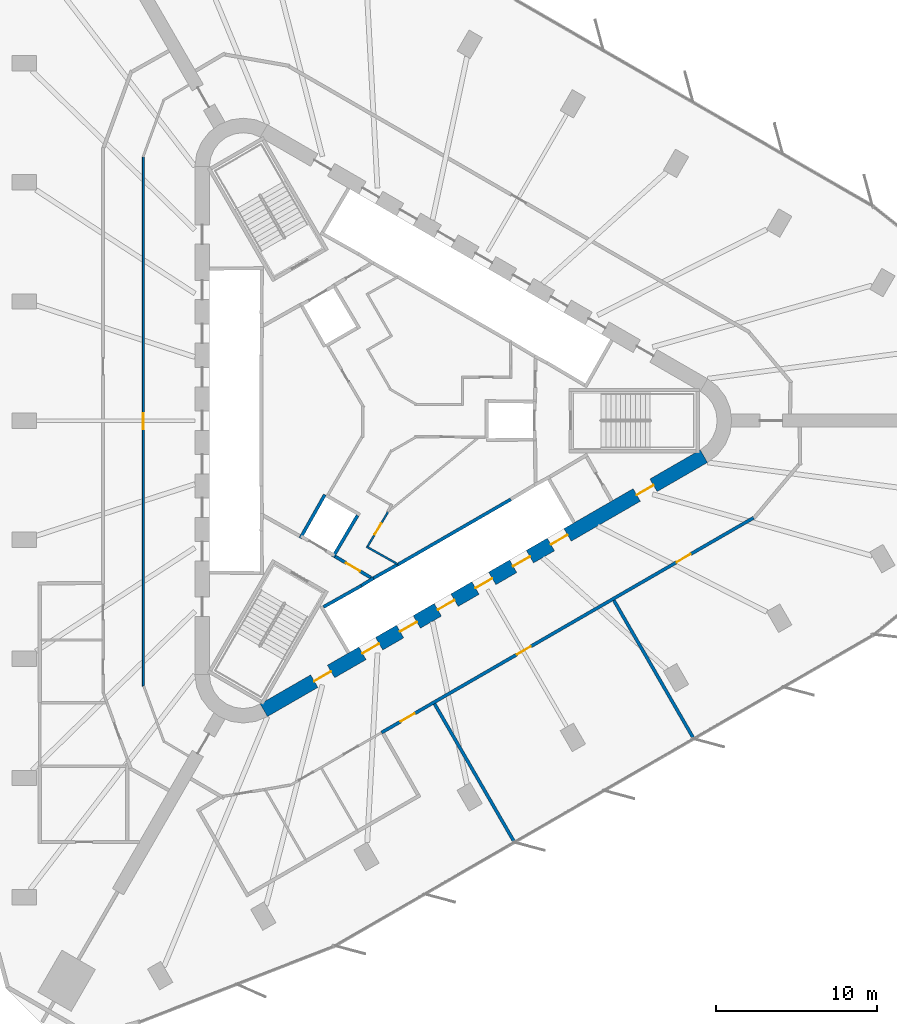
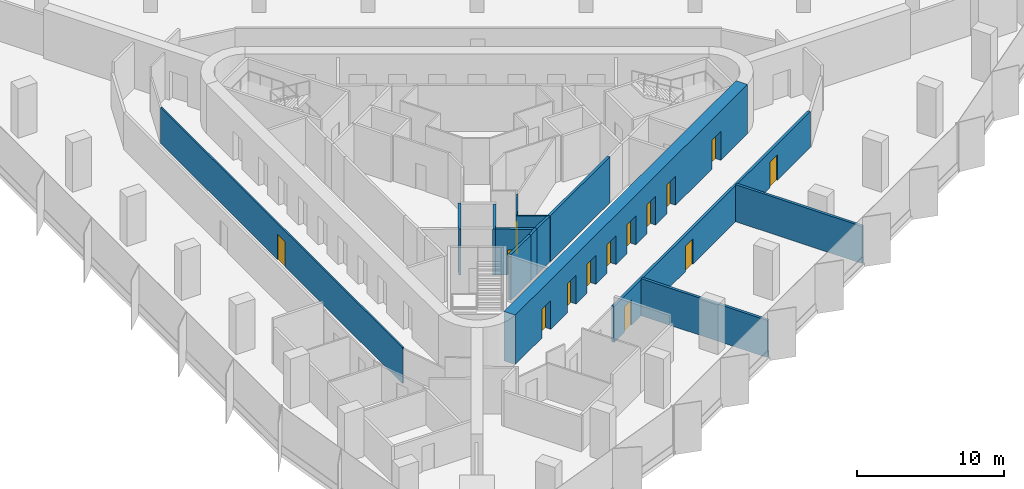
# One storey, part 10 of 15: 14 doors, 14 walls, 14 openings.
"""IFC4 building model written with IfcOpenShell, lengths in metres."""

import ifcopenshell
import ifcopenshell.guid

model = None  # the IFC model being written
_history = None  # IfcOwnerHistory: only IFC2X3 demands one
_inside = {}  # id of a spatial element -> (the spatial element, [elements in it])
_under = {}  # id of a project, library or spatial element -> (it, [spatial elements below it])
_declared = {}  # id of a project -> (the project, [libraries it declares])
_typed = {}  # id of a type object -> (the type object, [elements of that type])
_made_of = {}  # id of a material, layer set ... -> (it, [elements and type objects made of it])


def new_model(schema):
    """Start an empty IFC model of exactly this schema.

    Asked for "IFC4X3", IfcOpenShell would pick the latest addendum, in which some entities
    have other attributes; the version numbers below select the first issue.
    IFC2X3 requires an IfcOwnerHistory on every rooted entity: one is made here for all.
    """
    global model, _history
    if schema == "IFC4X3":
        model = ifcopenshell.file(schema_version=(4, 3, 0, 0))
    else:
        model = ifcopenshell.file(schema=schema)
    _inside.clear()
    _under.clear()
    _declared.clear()
    _typed.clear()
    _made_of.clear()
    _history = None
    if model.schema == "IFC2X3":
        org = make("IfcOrganization", Name="unknown")
        user = make(
            "IfcPersonAndOrganization",
            ThePerson=make("IfcPerson", FamilyName="unknown"),
            TheOrganization=org,
        )
        app = make(
            "IfcApplication",
            ApplicationDeveloper=org,
            Version="unknown",
            ApplicationFullName="unknown",
            ApplicationIdentifier="unknown",
        )
        _history = make(
            "IfcOwnerHistory",
            OwningUser=user,
            OwningApplication=app,
            ChangeAction="ADDED",
            CreationDate=0,
        )
    return model


def make(cls, **values):
    """One entity of the class cls with the attributes given. An attribute that is None is left unset."""
    return model.create_entity(
        cls, **{name: value for name, value in values.items() if value is not None}
    )


def rooted(cls, **values):
    """An entity with a GlobalId (a new one), such as an element, a storey or a relation."""
    return make(cls, GlobalId=ifcopenshell.guid.new(), OwnerHistory=_history, **values)


def si_unit(unit_type, name, prefix=None):
    """IfcSIUnit, for example si_unit("LENGTHUNIT", "METRE", prefix="MILLI")."""
    return make("IfcSIUnit", UnitType=unit_type, Prefix=prefix, Name=name)


def assignment(units):
    """IfcUnitAssignment: the units of a project."""
    return None if units is None else make("IfcUnitAssignment", Units=units)


def point(xyz):
    """IfcCartesianPoint."""
    return None if xyz is None else make("IfcCartesianPoint", Coordinates=xyz)


def direction(xyz):
    """IfcDirection."""
    return None if xyz is None else make("IfcDirection", DirectionRatios=xyz)


def frame(location, z_axis=None, x_axis=None):
    """IfcAxis2Placement3D, a coordinate frame: its origin and axes. An axis left out is left unset."""
    return make(
        "IfcAxis2Placement3D",
        Location=point(location),
        Axis=direction(z_axis),
        RefDirection=direction(x_axis),
    )


def frame_2d(location, x_axis=None):
    """IfcAxis2Placement2D, a coordinate frame in the plane: its origin and x axis."""
    return make(
        "IfcAxis2Placement2D", Location=point(location), RefDirection=direction(x_axis)
    )


def origin():
    """The frame at (0, 0, 0) with its axes left unset."""
    return frame((0.0, 0.0, 0.0))


def place(relative_to, where):
    """IfcLocalPlacement: puts the frame where relative to a parent placement (None: the world)."""
    return make(
        "IfcLocalPlacement", PlacementRelTo=relative_to, RelativePlacement=where
    )


def context(
    kind, dimensions, precision=None, world=None, true_north=None, identifier=None
):
    """IfcGeometricRepresentationContext, for example the 3D "Model" context."""
    return make(
        "IfcGeometricRepresentationContext",
        ContextIdentifier=identifier,
        ContextType=kind,
        CoordinateSpaceDimension=dimensions,
        Precision=precision,
        WorldCoordinateSystem=world,
        TrueNorth=true_north,
    )


def subcontext(parent, identifier, kind, view, scale=None):
    """IfcGeometricRepresentationSubContext, for example "Body" below "Model"."""
    return make(
        "IfcGeometricRepresentationSubContext",
        ContextIdentifier=identifier,
        ContextType=kind,
        ParentContext=parent,
        TargetScale=scale,
        TargetView=view,
    )


def project(units=None, contexts=None):
    """IfcProject with its units and contexts."""
    return rooted(
        "IfcProject",
        Name="project",
        RepresentationContexts=contexts,
        UnitsInContext=assignment(units),
    )


def spatial(cls, under=None, at=None, **own):
    """A site, building, storey or space (cls), placed at a placement, below another one or the project."""
    s = rooted(cls, ObjectPlacement=at, **own)
    if under is not None:
        _under.setdefault(under.id(), (under, []))[1].append(s)
    return s


def profile(cls, at=None, kind="AREA", **sizes):
    """A parametric profile (cls). Its sizes go by their IFC names, for example OverallWidth=200.0."""
    return make(cls, ProfileType=kind, Position=at, **sizes)


def rectangle(**sizes):
    """IfcRectangleProfileDef."""
    return profile("IfcRectangleProfileDef", **sizes)


def extrude(swept, where, along, depth):
    """IfcExtrudedAreaSolid: the profile swept, set in the frame where, extruded along a direction by depth."""
    return make(
        "IfcExtrudedAreaSolid",
        SweptArea=swept,
        Position=where,
        ExtrudedDirection=direction(along),
        Depth=depth,
    )


def shape(context_of_items, identifier, shape_type, items):
    """IfcShapeRepresentation: the items that make up one representation, for example the "Body"."""
    return make(
        "IfcShapeRepresentation",
        ContextOfItems=context_of_items,
        RepresentationIdentifier=identifier,
        RepresentationType=shape_type,
        Items=items,
    )


def material(Name=None, Category=None):
    """IfcMaterial."""
    return make("IfcMaterial", Name=Name, Category=Category)


def layer(
    of_material, thickness, ventilated=None, Name=None, Category=None, Priority=None
):
    """IfcMaterialLayer: one layer of a wall or slab, of a material (None: an air gap)."""
    return make(
        "IfcMaterialLayer",
        Material=of_material,
        LayerThickness=thickness,
        IsVentilated=ventilated,
        Name=Name,
        Category=Category,
        Priority=Priority,
    )


def layer_set(layers, Name=None):
    """IfcMaterialLayerSet."""
    return make("IfcMaterialLayerSet", MaterialLayers=layers, LayerSetName=Name)


def made_of(thing, what):
    """Note that an element or type object is made of a material, layer set ...; save() writes the relation."""
    if what is not None:
        _made_of.setdefault(what.id(), (what, []))[1].append(thing)
    return thing


def type_object(cls, material=None, **own):
    """A type object (cls), such as IfcWallType, which elements share."""
    return made_of(rooted(cls, **own), material)


def element(
    cls,
    number,
    at=None,
    inside=None,
    cuts=None,
    type_object=None,
    material=None,
    context=None,
    identifier="Body",
    shape_type=None,
    held_by="IfcProductDefinitionShape",
    body=None,
    shapes=None,
    **own,
):
    """One element of the class cls, such as IfcWall. Its Tag is "e" and its number.

    at: its placement. inside: the storey or other place that contains it. cuts: it is an
    opening in that element (IfcRelVoidsElement). A single representation is given by context,
    identifier, shape_type and body (its items); several are given by shapes. held_by: the class
    of the entity that holds the representations. save() writes the other relations.
    """
    e = rooted(cls, Tag="e%d" % number, ObjectPlacement=at, **own)
    if body is not None:
        shapes = [shape(context, identifier, shape_type, body)]
    if shapes is not None:
        e.Representation = make(held_by, Representations=shapes)
    if inside is not None:
        _inside.setdefault(inside.id(), (inside, []))[1].append(e)
    if cuts is not None:
        rooted(
            "IfcRelVoidsElement", RelatingBuildingElement=cuts, RelatedOpeningElement=e
        )
    if type_object is not None:
        _typed.setdefault(type_object.id(), (type_object, []))[1].append(e)
    return made_of(e, material)


def fill(opening, filler):
    """IfcRelFillsElement: the door or window that sits in an opening."""
    return rooted(
        "IfcRelFillsElement",
        RelatingOpeningElement=opening,
        RelatedBuildingElement=filler,
    )


def aggregate(whole, parts):
    """IfcRelAggregates: a whole, such as a stair, and the parts it consists of."""
    return rooted("IfcRelAggregates", RelatingObject=whole, RelatedObjects=parts)


def save(model, path):
    """Write the relations noted so far, then the file.

    IfcRelAggregates (storeys below a building ...), IfcRelContainedInSpatialStructure (elements
    in a storey), IfcRelDefinesByType, IfcRelAssociatesMaterial and IfcRelDeclares: one each for
    every whole, place, type object, material and project.
    """
    for whole, parts in _under.values():
        aggregate(whole, parts)
    for where, things in _inside.values():
        rooted(
            "IfcRelContainedInSpatialStructure",
            RelatedElements=things,
            RelatingStructure=where,
        )
    for kind, things in _typed.values():
        rooted("IfcRelDefinesByType", RelatedObjects=things, RelatingType=kind)
    for what, things in _made_of.values():
        rooted("IfcRelAssociatesMaterial", RelatedObjects=things, RelatingMaterial=what)
    for by, libraries in _declared.values():
        rooted("IfcRelDeclares", RelatingContext=by, RelatedDefinitions=libraries)
    model.write(path)


model = new_model("IFC4")

# Units and contexts
model_context = context("Model", 3, precision=1e-05, world=origin(), true_north=direction((0.0, 1.0)))
body_context = subcontext(model_context, "Body", "Model", "MODEL_VIEW")
ifc_project = project(units=[si_unit("LENGTHUNIT", "METRE"), si_unit("AREAUNIT", "SQUARE_METRE"), si_unit("VOLUMEUNIT", "CUBIC_METRE"), si_unit("PLANEANGLEUNIT", "RADIAN"), si_unit("MASSUNIT", "GRAM", prefix="KILO")], contexts=[model_context])

# Site, building, storey
site_placement = place(None, origin())
site = spatial("IfcSite", under=ifc_project, at=site_placement, CompositionType="ELEMENT")
building_placement = place(site_placement, origin())
building = spatial("IfcBuilding", under=site, at=building_placement, Name="Tanit Gate Tower", CompositionType="ELEMENT")
storey_placement = place(building_placement, frame((0.0, 0.0, 135.699951171875)))
storey = spatial("IfcBuildingStorey", under=building, at=storey_placement, Name="L29", CompositionType="ELEMENT", Elevation=135.699951171875)

# Wall, openings, doors
ifc_material_1 = material(Name="Concrete C60/75", Category="concrete")
ifc_layer_1 = layer(ifc_material_1, 0.89990234375)
ifc_layer_set_1 = layer_set([ifc_layer_1], Name="CORE WALL 900 C60/75")
wall_type_1 = type_object("IfcWallType", Name="CORE WALL 900 C60/75", PredefinedType="SHEAR", material=ifc_layer_set_1)
wall_1_placement = place(storey_placement, frame((-7.824951171875, -17.969970703125, 0.0), z_axis=(0.0, 0.0, 1.0), x_axis=(0.866028369851, 0.499994862586, 0.0)))
wall_1 = element("IfcWall", 1, at=wall_1_placement, inside=storey, type_object=wall_type_1, Name="CORE WALL", PredefinedType="SHEAR", context=body_context, shape_type="SweptSolid", body=[
    extrude(rectangle(XDim=31.523193359375, YDim=0.89990234375, at=frame_2d((15.76171875, 0.0))), origin(), (0.0, 0.0, 1.0), 4.10009765625),
])
opening_1_placement = place(wall_1_placement, frame((7.061767578125, 0.0, 0.0)))
opening_1 = element("IfcOpeningElement", 2, at=opening_1_placement, cuts=wall_1, Name="Opening LDSX1-S07", PredefinedType="OPENING", context=body_context, shape_type="SweptSolid", body=[
    extrude(rectangle(XDim=1.199951171875, YDim=2.39990234375, at=frame_2d((0.60009765625, 1.199951171875))), frame((0.0, 0.4599609375, 0.0), z_axis=(0.0, -1.0, 0.0), x_axis=(1.0, 0.0, 0.0)), (0.0, 0.0, 1.0), 0.919921875),
])
opening_2_placement = place(wall_1_placement, frame((9.76171875, 0.0, 0.0)))
opening_2 = element("IfcOpeningElement", 3, at=opening_2_placement, cuts=wall_1, Name="Opening LDSX2-S07", PredefinedType="OPENING", context=body_context, shape_type="SweptSolid", body=[
    extrude(rectangle(XDim=1.199951171875, YDim=2.39990234375, at=frame_2d((0.60009765625, 1.199951171875))), frame((0.0, 0.4599609375, 0.0), z_axis=(0.0, -1.0, 0.0), x_axis=(1.0, 0.0, 0.0)), (0.0, 0.0, 1.0), 0.919921875),
])
opening_3_placement = place(wall_1_placement, frame((12.461669921875, 0.0, 0.0)))
opening_3 = element("IfcOpeningElement", 4, at=opening_3_placement, cuts=wall_1, Name="Opening LDSX3-S07", PredefinedType="OPENING", context=body_context, shape_type="SweptSolid", body=[
    extrude(rectangle(XDim=1.199951171875, YDim=2.39990234375, at=frame_2d((0.60009765625, 1.199951171875))), frame((0.0, 0.4599609375, 0.0), z_axis=(0.0, -1.0, 0.0), x_axis=(1.0, 0.0, 0.0)), (0.0, 0.0, 1.0), 0.919921875),
])
opening_4_placement = place(wall_1_placement, frame((15.16162109375, 0.0, 0.0)))
opening_4 = element("IfcOpeningElement", 5, at=opening_4_placement, cuts=wall_1, Name="Opening LDSX4-S07", PredefinedType="OPENING", context=body_context, shape_type="SweptSolid", body=[
    extrude(rectangle(XDim=1.199951171875, YDim=2.39990234375, at=frame_2d((0.60009765625, 1.199951171875))), frame((0.0, 0.4599609375, 0.0), z_axis=(0.0, -1.0, 0.0), x_axis=(1.0, 0.0, 0.0)), (0.0, 0.0, 1.0), 0.919921875),
])
opening_5_placement = place(wall_1_placement, frame((17.861572265625, 0.0, 0.0)))
opening_5 = element("IfcOpeningElement", 6, at=opening_5_placement, cuts=wall_1, Name="Opening LDSV1-S07", PredefinedType="OPENING", context=body_context, shape_type="SweptSolid", body=[
    extrude(rectangle(XDim=1.199951171875, YDim=2.39990234375, at=frame_2d((0.60009765625, 1.199951171875))), frame((0.0, 0.4599609375, 0.0), z_axis=(0.0, -1.0, 0.0), x_axis=(1.0, 0.0, 0.0)), (0.0, 0.0, 1.0), 0.919921875),
])
opening_6_placement = place(wall_1_placement, frame((20.561767578125, 0.0, 0.0)))
opening_6 = element("IfcOpeningElement", 7, at=opening_6_placement, cuts=wall_1, Name="Opening LDSV2-S07", PredefinedType="OPENING", context=body_context, shape_type="SweptSolid", body=[
    extrude(rectangle(XDim=1.199951171875, YDim=2.39990234375, at=frame_2d((0.60009765625, 1.199951171875))), frame((0.0, 0.4599609375, 0.0), z_axis=(0.0, -1.0, 0.0), x_axis=(1.0, 0.0, 0.0)), (0.0, 0.0, 1.0), 0.919921875),
])
opening_7_placement = place(wall_1_placement, frame((26.711669921875, 0.0, 0.0)))
opening_7 = element("IfcOpeningElement", 8, at=opening_7_placement, cuts=wall_1, Name="Opening F12-S07-S1", PredefinedType="OPENING", context=body_context, shape_type="SweptSolid", body=[
    extrude(rectangle(XDim=1.199951171875, YDim=2.39990234375, at=frame_2d((0.60009765625, 1.199951171875))), frame((0.0, 0.4599609375, 0.0), z_axis=(0.0, -1.0, 0.0), x_axis=(1.0, 0.0, 0.0)), (0.0, 0.0, 1.0), 0.919921875),
])
opening_8_placement = place(wall_1_placement, frame((3.611572265625, 0.0, 0.0)))
opening_8 = element("IfcOpeningElement", 9, at=opening_8_placement, cuts=wall_1, Name="Opening F12-S07-FL3", PredefinedType="OPENING", context=body_context, shape_type="SweptSolid", body=[
    extrude(rectangle(XDim=1.199951171875, YDim=2.39990234375, at=frame_2d((0.60009765625, 1.199951171875))), frame((0.0, 0.4599609375, 0.0), z_axis=(0.0, -1.0, 0.0), x_axis=(1.0, 0.0, 0.0)), (0.0, 0.0, 1.0), 0.919921875),
])
ifc_material_2 = material(Name="Fire-rated steel door leaf", Category="steel")
door_type_1 = type_object("IfcDoorType", Name="INT-DOOR-FIRE-LOBBY-1200", OperationType="NOTDEFINED", PredefinedType="USERDEFINED", material=ifc_material_2)
door_1_placement = place(opening_7_placement, origin())
door_1 = element("IfcDoor", 10, at=door_1_placement, inside=storey, type_object=door_type_1, Name="Door F12-S07-S1", ObjectType="FIRE DOOR", OperationType="SINGLE_SWING_LEFT", OverallHeight=2.39990234375, OverallWidth=1.199951171875, PredefinedType="USERDEFINED", context=body_context, shape_type="SweptSolid", body=[
    extrude(rectangle(XDim=1.199951171875, YDim=2.39990234375, at=frame_2d((0.60009765625, 1.199951171875))), frame((0.0, 0.02490234375, 0.0), z_axis=(0.0, -1.0, 0.0), x_axis=(1.0, 0.0, 0.0)), (0.0, 0.0, 1.0), 0.050048828125),
])
fill(opening_7, door_1)
door_2_placement = place(opening_8_placement, origin())
door_2 = element("IfcDoor", 11, at=door_2_placement, inside=storey, type_object=door_type_1, Name="Door F12-S07-FL3", ObjectType="FIRE DOOR", OperationType="SINGLE_SWING_RIGHT", OverallHeight=2.39990234375, OverallWidth=1.199951171875, PredefinedType="USERDEFINED", context=body_context, shape_type="SweptSolid", body=[
    extrude(rectangle(XDim=1.199951171875, YDim=2.39990234375, at=frame_2d((0.60009765625, 1.199951171875))), frame((0.0, 0.02490234375, 0.0), z_axis=(0.0, -1.0, 0.0), x_axis=(1.0, 0.0, 0.0)), (0.0, 0.0, 1.0), 0.050048828125),
])
fill(opening_8, door_2)
ifc_material_3 = material(Name="Stainless steel sliding door leaf", Category="steel")
door_type_2 = type_object("IfcDoorType", Name="INT-DOOR-LANDING-1200", OperationType="NOTDEFINED", PredefinedType="USERDEFINED", material=ifc_material_3)
door_3_placement = place(opening_1_placement, origin())
door_3 = element("IfcDoor", 12, at=door_3_placement, inside=storey, type_object=door_type_2, Name="Door LDSX1-S07", ObjectType="LANDING DOOR", OperationType="SLIDING_TO_LEFT", OverallHeight=2.39990234375, OverallWidth=1.199951171875, PredefinedType="USERDEFINED", context=body_context, shape_type="SweptSolid", body=[
    extrude(rectangle(XDim=1.199951171875, YDim=2.39990234375, at=frame_2d((0.60009765625, 1.199951171875))), frame((0.0, 0.02490234375, 0.0), z_axis=(0.0, -1.0, 0.0), x_axis=(1.0, 0.0, 0.0)), (0.0, 0.0, 1.0), 0.050048828125),
])
fill(opening_1, door_3)
door_4_placement = place(opening_2_placement, origin())
door_4 = element("IfcDoor", 13, at=door_4_placement, inside=storey, type_object=door_type_2, Name="Door LDSX2-S07", ObjectType="LANDING DOOR", OperationType="SLIDING_TO_LEFT", OverallHeight=2.39990234375, OverallWidth=1.199951171875, PredefinedType="USERDEFINED", context=body_context, shape_type="SweptSolid", body=[
    extrude(rectangle(XDim=1.199951171875, YDim=2.39990234375, at=frame_2d((0.60009765625, 1.199951171875))), frame((0.0, 0.02490234375, 0.0), z_axis=(0.0, -1.0, 0.0), x_axis=(1.0, 0.0, 0.0)), (0.0, 0.0, 1.0), 0.050048828125),
])
fill(opening_2, door_4)
door_5_placement = place(opening_3_placement, origin())
door_5 = element("IfcDoor", 14, at=door_5_placement, inside=storey, type_object=door_type_2, Name="Door LDSX3-S07", ObjectType="LANDING DOOR", OperationType="SLIDING_TO_LEFT", OverallHeight=2.39990234375, OverallWidth=1.199951171875, PredefinedType="USERDEFINED", context=body_context, shape_type="SweptSolid", body=[
    extrude(rectangle(XDim=1.199951171875, YDim=2.39990234375, at=frame_2d((0.60009765625, 1.199951171875))), frame((0.0, 0.02490234375, 0.0), z_axis=(0.0, -1.0, 0.0), x_axis=(1.0, 0.0, 0.0)), (0.0, 0.0, 1.0), 0.050048828125),
])
fill(opening_3, door_5)
door_6_placement = place(opening_4_placement, origin())
door_6 = element("IfcDoor", 15, at=door_6_placement, inside=storey, type_object=door_type_2, Name="Door LDSX4-S07", ObjectType="LANDING DOOR", OperationType="SLIDING_TO_LEFT", OverallHeight=2.39990234375, OverallWidth=1.199951171875, PredefinedType="USERDEFINED", context=body_context, shape_type="SweptSolid", body=[
    extrude(rectangle(XDim=1.199951171875, YDim=2.39990234375, at=frame_2d((0.60009765625, 1.199951171875))), frame((0.0, 0.02490234375, 0.0), z_axis=(0.0, -1.0, 0.0), x_axis=(1.0, 0.0, 0.0)), (0.0, 0.0, 1.0), 0.050048828125),
])
fill(opening_4, door_6)
door_7_placement = place(opening_5_placement, origin())
door_7 = element("IfcDoor", 16, at=door_7_placement, inside=storey, type_object=door_type_2, Name="Door LDSV1-S07", ObjectType="LANDING DOOR", OperationType="SLIDING_TO_LEFT", OverallHeight=2.39990234375, OverallWidth=1.199951171875, PredefinedType="USERDEFINED", context=body_context, shape_type="SweptSolid", body=[
    extrude(rectangle(XDim=1.199951171875, YDim=2.39990234375, at=frame_2d((0.60009765625, 1.199951171875))), frame((0.0, 0.02490234375, 0.0), z_axis=(0.0, -1.0, 0.0), x_axis=(1.0, 0.0, 0.0)), (0.0, 0.0, 1.0), 0.050048828125),
])
fill(opening_5, door_7)
door_8_placement = place(opening_6_placement, origin())
door_8 = element("IfcDoor", 17, at=door_8_placement, inside=storey, type_object=door_type_2, Name="Door LDSV2-S07", ObjectType="LANDING DOOR", OperationType="SLIDING_TO_LEFT", OverallHeight=2.39990234375, OverallWidth=1.199951171875, PredefinedType="USERDEFINED", context=body_context, shape_type="SweptSolid", body=[
    extrude(rectangle(XDim=1.199951171875, YDim=2.39990234375, at=frame_2d((0.60009765625, 1.199951171875))), frame((0.0, 0.02490234375, 0.0), z_axis=(0.0, -1.0, 0.0), x_axis=(1.0, 0.0, 0.0)), (0.0, 0.0, 1.0), 0.050048828125),
])
fill(opening_6, door_8)

# Wall, opening, door
ifc_material_4 = material(Name="Fire-rated gypsum board partition")
ifc_layer_2 = layer(ifc_material_4, 0.199951171875)
ifc_layer_set_2 = layer_set([ifc_layer_2], Name="INT-WALL-COMPARTMENT")
wall_type_2 = type_object("IfcWallType", Name="INT-WALL-COMPARTMENT", PredefinedType="PARTITIONING", material=ifc_layer_set_2)
wall_2_placement = place(storey_placement, frame((-3.400634765625, -8.43017578125, 0.0), z_axis=(0.0, 0.0, 1.0), x_axis=(0.860598681535, -0.509283721849, 0.0)))
wall_2 = element("IfcWall", 18, at=wall_2_placement, inside=storey, type_object=wall_type_2, Name="Wall Compartment W064", PredefinedType="PARTITIONING", context=body_context, shape_type="SweptSolid", body=[
    extrude(rectangle(XDim=2.5810546875, YDim=0.199951171875, at=frame_2d((1.29052734375, 0.0))), origin(), (0.0, 0.0, 1.0), 3.800048828125),
])
opening_9_placement = place(wall_2_placement, frame((0.79052734375, 0.0, 0.0)))
opening_9 = element("IfcOpeningElement", 19, at=opening_9_placement, cuts=wall_2, Name="Opening F10-S07-08", PredefinedType="OPENING", context=body_context, shape_type="SweptSolid", body=[
    extrude(rectangle(XDim=1.0, YDim=2.10009765625, at=frame_2d((0.5, 1.050048828125))), frame((0.0, 0.10986328125, 0.0), z_axis=(0.0, -1.0, 0.0), x_axis=(1.0, 0.0, 0.0)), (0.0, 0.0, 1.0), 0.219970703125),
])
ifc_material_5 = material(Name="Fire-rated steel door leaf", Category="steel")
door_type_3 = type_object("IfcDoorType", Name="INT-DOOR-FIRE-1000", OperationType="NOTDEFINED", PredefinedType="USERDEFINED", material=ifc_material_5)
door_9_placement = place(opening_9_placement, origin())
door_9 = element("IfcDoor", 20, at=door_9_placement, inside=storey, type_object=door_type_3, Name="Door F10-S07-08", ObjectType="FIRE DOOR", OperationType="SINGLE_SWING_RIGHT", OverallHeight=2.10009765625, OverallWidth=1.0, PredefinedType="USERDEFINED", context=body_context, shape_type="SweptSolid", body=[
    extrude(rectangle(XDim=1.0, YDim=2.10009765625, at=frame_2d((0.5, 1.050048828125))), frame((0.0, 0.02490234375, 0.0), z_axis=(0.0, -1.0, 0.0), x_axis=(1.0, 0.0, 0.0)), (0.0, 0.0, 1.0), 0.050048828125),
])
fill(opening_9, door_9)

# Wall, openings, doors
wall_3_placement = place(storey_placement, frame((-0.52294921875, -19.3544921875, 0.0), z_axis=(0.0, 0.0, 1.0), x_axis=(0.866024925705, 0.500000828058, 0.0)))
wall_3 = element("IfcWall", 21, at=wall_3_placement, inside=storey, type_object=wall_type_2, Name="Wall Compartment W110", PredefinedType="PARTITIONING", context=body_context, shape_type="SweptSolid", body=[
    extrude(rectangle(XDim=26.64697265625, YDim=0.199951171875, at=frame_2d((13.323486328125, 0.0))), origin(), (0.0, 0.0, 1.0), 2.97998046875),
])
opening_10_placement = place(wall_3_placement, frame((21.144775390625, 0.0, 0.0)))
opening_10 = element("IfcOpeningElement", 22, at=opening_10_placement, cuts=wall_3, Name="Opening F10-S07-25", PredefinedType="OPENING", context=body_context, shape_type="SweptSolid", body=[
    extrude(rectangle(XDim=1.0, YDim=2.10009765625, at=frame_2d((0.5, 1.050048828125))), frame((0.0, 0.10986328125, 0.0), z_axis=(0.0, -1.0, 0.0), x_axis=(1.0, 0.0, 0.0)), (0.0, 0.0, 1.0), 0.219970703125),
])
opening_11_placement = place(wall_3_placement, frame((9.690673828125, 0.0, 0.0)))
opening_11 = element("IfcOpeningElement", 23, at=opening_11_placement, cuts=wall_3, Name="Opening F10-S07-26", PredefinedType="OPENING", context=body_context, shape_type="SweptSolid", body=[
    extrude(rectangle(XDim=1.0, YDim=2.10009765625, at=frame_2d((0.5, 1.050048828125))), frame((0.0, 0.10986328125, 0.0), z_axis=(0.0, -1.0, 0.0), x_axis=(1.0, 0.0, 0.0)), (0.0, 0.0, 1.0), 0.219970703125),
])
opening_12_placement = place(wall_3_placement, frame((1.369384765625, 0.0, 0.0)))
opening_12 = element("IfcOpeningElement", 24, at=opening_12_placement, cuts=wall_3, Name="Opening F10-S07-27", PredefinedType="OPENING", context=body_context, shape_type="SweptSolid", body=[
    extrude(rectangle(XDim=1.0, YDim=2.10009765625, at=frame_2d((0.5, 1.050048828125))), frame((0.0, 0.10986328125, 0.0), z_axis=(0.0, -1.0, 0.0), x_axis=(1.0, 0.0, 0.0)), (0.0, 0.0, 1.0), 0.219970703125),
])
door_10_placement = place(opening_10_placement, origin())
door_10 = element("IfcDoor", 25, at=door_10_placement, inside=storey, type_object=door_type_3, Name="Door F10-S07-25", ObjectType="FIRE DOOR", OperationType="SINGLE_SWING_RIGHT", OverallHeight=2.10009765625, OverallWidth=1.0, PredefinedType="USERDEFINED", context=body_context, shape_type="SweptSolid", body=[
    extrude(rectangle(XDim=1.0, YDim=2.10009765625, at=frame_2d((0.5, 1.050048828125))), frame((0.0, 0.02490234375, 0.0), z_axis=(0.0, -1.0, 0.0), x_axis=(1.0, 0.0, 0.0)), (0.0, 0.0, 1.0), 0.050048828125),
])
fill(opening_10, door_10)
door_11_placement = place(opening_11_placement, origin())
door_11 = element("IfcDoor", 26, at=door_11_placement, inside=storey, type_object=door_type_3, Name="Door F10-S07-26", ObjectType="FIRE DOOR", OperationType="SINGLE_SWING_RIGHT", OverallHeight=2.10009765625, OverallWidth=1.0, PredefinedType="USERDEFINED", context=body_context, shape_type="SweptSolid", body=[
    extrude(rectangle(XDim=1.0, YDim=2.10009765625, at=frame_2d((0.5, 1.050048828125))), frame((0.0, 0.02490234375, 0.0), z_axis=(0.0, -1.0, 0.0), x_axis=(1.0, 0.0, 0.0)), (0.0, 0.0, 1.0), 0.050048828125),
])
fill(opening_11, door_11)
door_12_placement = place(opening_12_placement, origin())
door_12 = element("IfcDoor", 27, at=door_12_placement, inside=storey, type_object=door_type_3, Name="Door F10-S07-27", ObjectType="FIRE DOOR", OperationType="SINGLE_SWING_LEFT", OverallHeight=2.10009765625, OverallWidth=1.0, PredefinedType="USERDEFINED", context=body_context, shape_type="SweptSolid", body=[
    extrude(rectangle(XDim=1.0, YDim=2.10009765625, at=frame_2d((0.5, 1.050048828125))), frame((0.0, 0.02490234375, 0.0), z_axis=(0.0, -1.0, 0.0), x_axis=(1.0, 0.0, 0.0)), (0.0, 0.0, 1.0), 0.050048828125),
])
fill(opening_12, door_12)

# Walls
wall_4_placement = place(storey_placement, frame((13.888427734375, -11.149658203125, 0.0), z_axis=(0.0, 0.0, 1.0), x_axis=(0.499931641511, -0.86606486698, 0.0)))
element("IfcWall", 28, at=wall_4_placement, inside=storey, type_object=wall_type_2, Name="Wall Compartment W129", PredefinedType="PARTITIONING", context=body_context, shape_type="SweptSolid", body=[
    extrude(rectangle(XDim=9.90087890625, YDim=0.199951171875, at=frame_2d((4.950439453125, 0.0))), origin(), (0.0, 0.0, 1.0), 3.080078125),
])
wall_5_placement = place(storey_placement, frame((7.714111328125, -26.145751953125, 0.0), z_axis=(0.0, 0.0, 1.0), x_axis=(-0.499926679301, 0.866067731372, 0.0)))
element("IfcWall", 29, at=wall_5_placement, inside=storey, type_object=wall_type_2, Name="Wall Compartment W130", PredefinedType="PARTITIONING", context=body_context, shape_type="SweptSolid", body=[
    extrude(rectangle(XDim=9.89990234375, YDim=0.199951171875, at=frame_2d((4.949951171875, 0.0))), origin(), (0.0, 0.0, 1.0), 3.080078125),
])
ifc_material_6 = material(Name="Gypsum board partition")
ifc_layer_3 = layer(ifc_material_6, 0.1201171875)
ifc_layer_set_3 = layer_set([ifc_layer_3], Name="INT-WALL-PARTITION")
wall_type_3 = type_object("IfcWallType", Name="INT-WALL-PARTITION", PredefinedType="PARTITIONING", material=ifc_layer_set_3)
wall_6_placement = place(storey_placement, frame((-1.464111328125, -7.81591796875, 0.0), z_axis=(0.0, 0.0, 1.0), x_axis=(0.871880202732, -0.489719217597, 0.0)))
element("IfcWall", 30, at=wall_6_placement, inside=storey, type_object=wall_type_3, Name="Wall Partition W069", PredefinedType="PARTITIONING", context=body_context, shape_type="SweptSolid", body=[
    extrude(rectangle(XDim=2.224365234375, YDim=0.1201171875, at=frame_2d((1.1123046875, 0.0))), origin(), (0.0, 0.0, 1.0), 3.800048828125),
])

# Wall, opening, door
wall_7_placement = place(storey_placement, frame((-0.118896484375, -5.664306640625, 0.0), z_axis=(0.0, 0.0, 1.0), x_axis=(-0.509948384343, -0.860205001907, 0.0)))
wall_7 = element("IfcWall", 31, at=wall_7_placement, inside=storey, type_object=wall_type_3, Name="Wall Partition W070", PredefinedType="PARTITIONING", context=body_context, shape_type="SweptSolid", body=[
    extrude(rectangle(XDim=2.47509765625, YDim=0.1201171875, at=frame_2d((1.237548828125, 0.0))), origin(), (0.0, 0.0, 1.0), 3.800048828125),
])
opening_13_placement = place(wall_7_placement, frame((0.837646484375, 0.0, 0.0)))
opening_13 = element("IfcOpeningElement", 32, at=opening_13_placement, cuts=wall_7, Name="Opening R08-S07-11", PredefinedType="OPENING", context=body_context, shape_type="SweptSolid", body=[
    extrude(rectangle(XDim=0.800048828125, YDim=2.10009765625, at=frame_2d((0.39990234375, 1.050048828125))), frame((0.0, 0.070068359375, 0.0), z_axis=(0.0, -1.0, 0.0), x_axis=(1.0, 0.0, 0.0)), (0.0, 0.0, 1.0), 0.14013671875),
])
ifc_material_7 = material(Name="Timber door leaf", Category="wood")
door_type_4 = type_object("IfcDoorType", Name="INT-DOOR-RISER-800", OperationType="NOTDEFINED", PredefinedType="USERDEFINED", material=ifc_material_7)
door_13_placement = place(opening_13_placement, origin())
door_13 = element("IfcDoor", 33, at=door_13_placement, inside=storey, type_object=door_type_4, Name="Door R08-S07-11", ObjectType="FIRE DOOR", OperationType="SINGLE_SWING_LEFT", OverallHeight=2.10009765625, OverallWidth=0.800048828125, PredefinedType="USERDEFINED", context=body_context, shape_type="SweptSolid", body=[
    extrude(rectangle(XDim=0.800048828125, YDim=2.10009765625, at=frame_2d((0.39990234375, 1.050048828125))), frame((0.0, 0.02490234375, 0.0), z_axis=(0.0, -1.0, 0.0), x_axis=(1.0, 0.0, 0.0)), (0.0, 0.0, 1.0), 0.050048828125),
])
fill(opening_13, door_13)

wall_8_placement = place(storey_placement, frame((-15.300048828125, 16.34521484375, 0.0), z_axis=(0.0, 0.0, 1.0), x_axis=(0.0, -1.0, 0.0)))
wall_8 = element("IfcWall", 34, at=wall_8_placement, inside=storey, type_object=wall_type_3, Name="Wall Partition W088", PredefinedType="PARTITIONING", context=body_context, shape_type="SweptSolid", body=[
    extrude(rectangle(XDim=32.810546875, YDim=0.1201171875, at=frame_2d((16.4052734375, 0.0))), origin(), (0.0, 0.0, 1.0), 2.97998046875),
])
opening_14_placement = place(wall_8_placement, frame((15.875244140625, 0.0, 0.0)))
opening_14 = element("IfcOpeningElement", 35, at=opening_14_placement, cuts=wall_8, Name="Opening D10-S07-15", PredefinedType="OPENING", context=body_context, shape_type="SweptSolid", body=[
    extrude(rectangle(XDim=1.0, YDim=2.10009765625, at=frame_2d((0.5, 1.050048828125))), frame((0.0, 0.070068359375, 0.0), z_axis=(0.0, -1.0, 0.0), x_axis=(1.0, 0.0, 0.0)), (0.0, 0.0, 1.0), 0.14013671875),
])
ifc_material_8 = material(Name="Timber door leaf", Category="wood")
door_type_5 = type_object("IfcDoorType", Name="INT-DOOR-SINGLE-1000", OperationType="NOTDEFINED", PredefinedType="NOTDEFINED", material=ifc_material_8)
door_14_placement = place(opening_14_placement, origin())
door_14 = element("IfcDoor", 36, at=door_14_placement, inside=storey, type_object=door_type_5, Name="Door D10-S07-15", OperationType="SINGLE_SWING_LEFT", OverallHeight=2.10009765625, OverallWidth=1.0, PredefinedType="NOTDEFINED", context=body_context, shape_type="SweptSolid", body=[
    extrude(rectangle(XDim=1.0, YDim=2.10009765625, at=frame_2d((0.5, 1.050048828125))), frame((0.0, 0.02490234375, 0.0), z_axis=(0.0, -1.0, 0.0), x_axis=(1.0, 0.0, 0.0)), (0.0, 0.0, 1.0), 0.050048828125),
])
fill(opening_14, door_14)

# Walls
ifc_material_9 = material(Name="Gypsum shaft wall system")
ifc_layer_4 = layer(ifc_material_9, 0.199951171875)
ifc_layer_set_4 = layer_set([ifc_layer_4], Name="INT-WALL-SHAFT")
wall_type_4 = type_object("IfcWallType", Name="INT-WALL-SHAFT", PredefinedType="PLUMBINGWALL", material=ifc_layer_set_4)
wall_9_placement = place(storey_placement, frame((0.482666015625, -8.935791015625, 0.0), z_axis=(0.0, 0.0, 1.0), x_axis=(0.866030989016, 0.499990325971, 0.0)))
element("IfcWall", 37, at=wall_9_placement, inside=storey, type_object=wall_type_4, Name="Wall Shaft W031", PredefinedType="PLUMBINGWALL", context=body_context, shape_type="SweptSolid", body=[
    extrude(rectangle(XDim=8.099853515625, YDim=0.199951171875, at=frame_2d((4.0498046875, 0.0))), origin(), (0.0, 0.0, 1.0), 3.800048828125),
])
wall_10_placement = place(storey_placement, frame((-1.7685546875, -10.23681640625, 0.0), z_axis=(0.0, 0.0, 1.0), x_axis=(-0.871534483978, -0.490334215854, 0.0)))
element("IfcWall", 38, at=wall_10_placement, inside=storey, type_object=wall_type_4, Name="Wall Shaft W028", PredefinedType="PLUMBINGWALL", context=body_context, shape_type="SweptSolid", body=[
    extrude(rectangle(XDim=2.7001953125, YDim=0.199951171875, at=frame_2d((1.35009765625, 0.0))), origin(), (0.0, 0.0, 1.0), 3.800048828125),
])
wall_11_placement = place(storey_placement, frame((-1.02392578125, -9.77099609375, 0.0), z_axis=(0.0, 0.0, 1.0), x_axis=(-0.850348075135, -0.526220629693, 0.0)))
element("IfcWall", 39, at=wall_11_placement, inside=storey, type_object=wall_type_4, Name="Wall Shaft W029", PredefinedType="PLUMBINGWALL", context=body_context, shape_type="SweptSolid", body=[
    extrude(rectangle(XDim=0.878173828125, YDim=0.199951171875, at=frame_2d((0.43896484375, 0.0))), origin(), (0.0, 0.0, 1.0), 3.800048828125),
])
wall_12_placement = place(storey_placement, frame((-1.13037109375, -9.83154296875, 0.0), z_axis=(0.0, 0.0, 1.0), x_axis=(0.871988740738, 0.489525929882, 0.0)))
element("IfcWall", 40, at=wall_12_placement, inside=storey, type_object=wall_type_4, Name="Wall Shaft W030", PredefinedType="PLUMBINGWALL", context=body_context, shape_type="SweptSolid", body=[
    extrude(rectangle(XDim=1.8447265625, YDim=0.199951171875, at=frame_2d((0.92236328125, 0.0))), origin(), (0.0, 0.0, 1.0), 3.800048828125),
])
wall_13_placement = place(storey_placement, frame((-5.5625, -7.29638671875, 0.0), z_axis=(0.0, 0.0, 1.0), x_axis=(0.491322718731, 0.870977603649, 0.0)))
element("IfcWall", 41, at=wall_13_placement, inside=storey, type_object=wall_type_4, Name="Wall Shaft W054", PredefinedType="PLUMBINGWALL", context=body_context, shape_type="SweptSolid", body=[
    extrude(rectangle(XDim=3.10009765625, YDim=0.199951171875, at=frame_2d((1.550048828125, 0.0))), origin(), (0.0, 0.0, 1.0), 3.800048828125),
])
wall_14_placement = place(storey_placement, frame((-2.01171875, -5.88232421875, 0.0), z_axis=(0.0, 0.0, 1.0), x_axis=(-0.508619639323, -0.860991325447, 0.0)))
element("IfcWall", 42, at=wall_14_placement, inside=storey, type_object=wall_type_4, Name="Wall Shaft W056", PredefinedType="PLUMBINGWALL", context=body_context, shape_type="SweptSolid", body=[
    extrude(rectangle(XDim=3.0, YDim=0.199951171875, at=frame_2d((1.5, 0.0))), origin(), (0.0, 0.0, 1.0), 3.800048828125),
])

save(model, "model.ifc")
